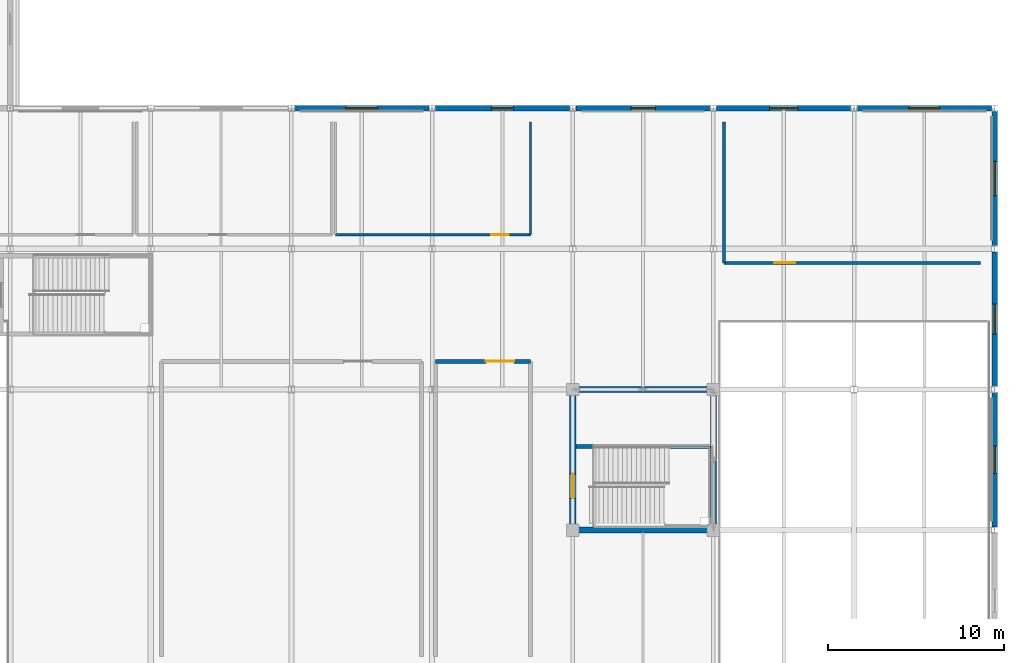
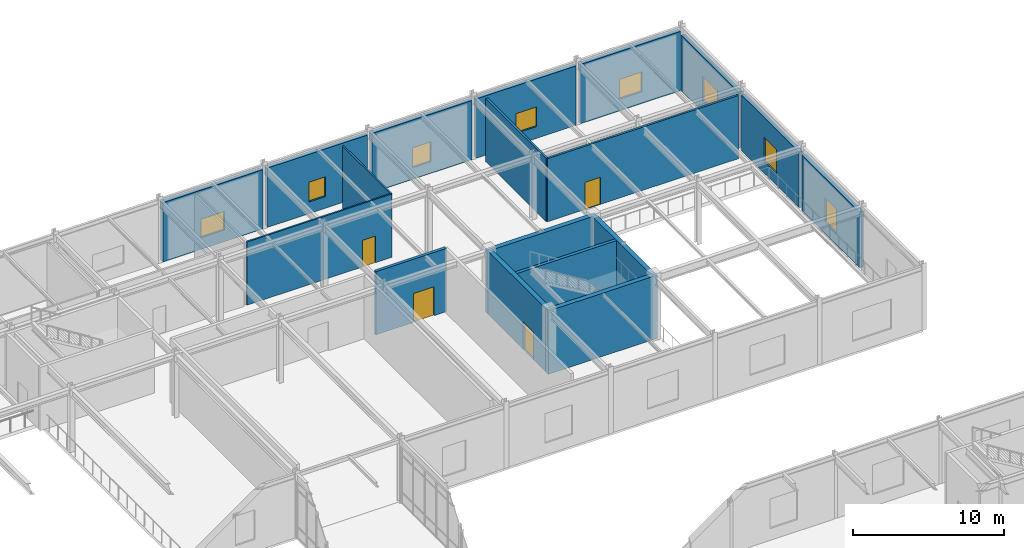
# One storey, part 169 of 184: 18 walls, 8 windows, 4 doors, 12 openings.
"""IFC4 building model written with IfcOpenShell, lengths in metres."""

from ifc_helpers import new_model, si_unit, direction, frame, frame_2d, origin, place, context, subcontext, project, spatial, rectangle, extrude, material, layer, layer_set, type_object, element, fill, save


model = new_model("IFC4")

# Units and contexts
model_context = context("Model", 3, precision=1e-05, world=origin(), true_north=direction((0.0, 1.0)))
body_context = subcontext(model_context, "Body", "Model", "MODEL_VIEW")
ifc_project = project(units=[si_unit("LENGTHUNIT", "METRE"), si_unit("AREAUNIT", "SQUARE_METRE"), si_unit("VOLUMEUNIT", "CUBIC_METRE"), si_unit("PLANEANGLEUNIT", "RADIAN"), si_unit("MASSUNIT", "GRAM", prefix="KILO")], contexts=[model_context])

# Site, building, storey
site_placement = place(None, origin())
site = spatial("IfcSite", under=ifc_project, at=site_placement, CompositionType="ELEMENT")
building_placement = place(site_placement, origin())
building = spatial("IfcBuilding", under=site, at=building_placement, Name="Zhaolan Boulevard Law Courts", CompositionType="ELEMENT")
storey_placement = place(building_placement, frame((0.0, 0.0, 5.39990234375)))
storey = spatial("IfcBuildingStorey", under=building, at=storey_placement, Name="L01", CompositionType="ELEMENT", Elevation=5.39990234375)

# Walls
ifc_material_1 = material(Name="Concrete C50", Category="concrete")
ifc_layer_1 = layer(ifc_material_1, 0.35009765625)
ifc_layer_set_1 = layer_set([ifc_layer_1])
wall_type_1 = type_object("IfcWallType", Name="CORE SHEAR WALL 350", PredefinedType="SHEAR", material=ifc_layer_set_1)
for number, where, z_axis, x_axis, name in (
    (1, (139.824951171875, 70.0, 0.0), (0.0, 0.0, 1.0), (1.0, 0.0, 0.0), "Core Shear Wall CW-T2-L01S"),
    (2, (148.175048828125, 78.0, 0.0), (0.0, 0.0, 1.0), (-1.0, 0.0, 0.0), "Core Shear Wall CW-T2-L01N"),
):
    element("IfcWall", number, at=place(storey_placement, frame(where, z_axis=z_axis, x_axis=x_axis)), inside=storey, type_object=wall_type_1, Name=name, PredefinedType="SHEAR", context=body_context, shape_type="SweptSolid", body=[
        extrude(rectangle(XDim=8.35009765625, YDim=0.35009765625, at=frame_2d((4.175048828125, 0.0))), origin(), (0.0, 0.0, 1.0), 5.1201171875),
    ])

# Wall, opening, door
wall_1_placement = place(storey_placement, frame((140.0, 70.175048828125, 0.0), z_axis=(0.0, 0.0, 1.0), x_axis=(0.0, 1.0, 0.0)))
wall_1 = element("IfcWall", 3, at=wall_1_placement, inside=storey, type_object=wall_type_1, Name="Core Shear Wall CW-T2-L01W", PredefinedType="SHEAR", context=body_context, shape_type="SweptSolid", body=[
    extrude(rectangle(XDim=7.64990234375, YDim=0.35009765625, at=frame_2d((3.824951171875, 0.0))), origin(), (0.0, 0.0, 1.0), 5.1201171875),
])
opening_1_placement = place(wall_1_placement, frame((1.625, 0.0, 0.0)))
opening_1 = element("IfcOpeningElement", 4, at=opening_1_placement, cuts=wall_1, Name="Opening SD-L01-35", PredefinedType="OPENING", context=body_context, shape_type="SweptSolid", body=[
    extrude(rectangle(XDim=1.39990234375, YDim=2.199951171875, at=frame_2d((0.699951171875, 1.10009765625))), frame((0.0, 0.18505859375, 0.0), z_axis=(0.0, -1.0, 0.0), x_axis=(1.0, 0.0, 0.0)), (0.0, 0.0, 1.0), 0.3701171875),
])
ifc_material_2 = material(Name="Fire-rated steel acoustic door", Category="steel")
door_type_1 = type_object("IfcDoorType", Name="STAIR FIRE 1400X2200 L", OperationType="SINGLE_SWING_LEFT", PredefinedType="DOOR", material=ifc_material_2)
door_1_placement = place(opening_1_placement, origin())
door_1 = element("IfcDoor", 5, at=door_1_placement, inside=storey, type_object=door_type_1, Name="Smoke-Proof Stairwell Fire Door SD-L01-35", OperationType="SINGLE_SWING_LEFT", OverallHeight=2.199951171875, OverallWidth=1.39990234375, PredefinedType="DOOR", context=body_context, shape_type="SweptSolid", body=[
    extrude(rectangle(XDim=1.39990234375, YDim=2.199951171875, at=frame_2d((0.699951171875, 1.10009765625))), frame((0.0, 0.02490234375, 0.0), z_axis=(0.0, -1.0, 0.0), x_axis=(1.0, 0.0, 0.0)), (0.0, 0.0, 1.0), 0.050048828125),
])
fill(opening_1, door_1)

# Wall
wall_2_placement = place(storey_placement, frame((148.0, 70.175048828125, 0.0), z_axis=(0.0, 0.0, 1.0), x_axis=(0.0, 1.0, 0.0)))
element("IfcWall", 6, at=wall_2_placement, inside=storey, type_object=wall_type_1, Name="Core Shear Wall CW-T2-L01E", PredefinedType="SHEAR", context=body_context, shape_type="SweptSolid", body=[
    extrude(rectangle(XDim=7.64990234375, YDim=0.35009765625, at=frame_2d((3.824951171875, 0.0))), origin(), (0.0, 0.0, 1.0), 5.1201171875),
])

# Wall, opening, window
ifc_material_3 = material(Name="Concrete C40", Category="concrete")
ifc_layer_2 = layer(ifc_material_3, 0.300048828125)
ifc_layer_set_2 = layer_set([ifc_layer_2])
wall_type_2 = type_object("IfcWallType", Name="EXT WALL CONCRETE300", PredefinedType="SOLIDWALL", material=ifc_layer_set_2)
wall_3_placement = place(storey_placement, frame((131.8291015625, 94.0, 0.0), z_axis=(0.0, 0.0, 1.0), x_axis=(-1.0, 0.0, 0.0)))
wall_3 = element("IfcWall", 7, at=wall_3_placement, inside=storey, type_object=wall_type_2, Name="Exterior Wall EW-L01-224", PredefinedType="SOLIDWALL", context=body_context, shape_type="SweptSolid", body=[
    extrude(rectangle(XDim=7.658203125, YDim=0.300048828125, at=frame_2d((3.8291015625, 0.0))), origin(), (0.0, 0.0, 1.0), 4.802978515625),
])
opening_2_placement = place(wall_3_placement, frame((2.928955078125, 0.0, 0.949951171875)))
opening_2 = element("IfcOpeningElement", 8, at=opening_2_placement, cuts=wall_3, Name="Opening WIN-L01-081", PredefinedType="OPENING", context=body_context, shape_type="SweptSolid", body=[
    extrude(rectangle(XDim=1.800048828125, YDim=1.5, at=frame_2d((0.89990234375, 0.75))), frame((0.0, 0.159912109375, 0.0), z_axis=(0.0, -1.0, 0.0), x_axis=(1.0, 0.0, 0.0)), (0.0, 0.0, 1.0), 0.320068359375),
])
ifc_material_4 = material(Name="Thermally broken aluminium and low-E glazing", Category="aluminium")
window_type_1 = type_object("IfcWindowType", Name="WINDOW 1800X1500", PartitioningType="DOUBLE_PANEL_VERTICAL", PredefinedType="WINDOW", material=ifc_material_4)
window_1_placement = place(opening_2_placement, origin())
window_1 = element("IfcWindow", 9, at=window_1_placement, inside=storey, type_object=window_type_1, Name="Exterior Window WIN-L01-081", OverallHeight=1.5, OverallWidth=1.800048828125, PartitioningType="SINGLE_PANEL", PredefinedType="WINDOW", context=body_context, shape_type="SweptSolid", body=[
    extrude(rectangle(XDim=1.800048828125, YDim=1.5, at=frame_2d((0.89990234375, 0.75))), frame((0.0, 0.030029296875, 0.0), z_axis=(0.0, -1.0, 0.0), x_axis=(1.0, 0.0, 0.0)), (0.0, 0.0, 1.0), 0.06005859375),
])
fill(opening_2, window_1)

wall_4_placement = place(storey_placement, frame((139.8291015625, 94.0, 0.0), z_axis=(0.0, 0.0, 1.0), x_axis=(-1.0, 0.0, 0.0)))
wall_4 = element("IfcWall", 10, at=wall_4_placement, inside=storey, type_object=wall_type_2, Name="Exterior Wall EW-L01-225", PredefinedType="SOLIDWALL", context=body_context, shape_type="SweptSolid", body=[
    extrude(rectangle(XDim=7.658203125, YDim=0.300048828125, at=frame_2d((3.8291015625, 0.0))), origin(), (0.0, 0.0, 1.0), 4.802978515625),
])
opening_3_placement = place(wall_4_placement, frame((3.2041015625, 0.0, 0.949951171875)))
opening_3 = element("IfcOpeningElement", 11, at=opening_3_placement, cuts=wall_4, Name="Opening WIN-L01-082", PredefinedType="OPENING", context=body_context, shape_type="SweptSolid", body=[
    extrude(rectangle(XDim=1.25, YDim=1.60009765625, at=frame_2d((0.625, 0.800048828125))), frame((0.0, 0.159912109375, 0.0), z_axis=(0.0, -1.0, 0.0), x_axis=(1.0, 0.0, 0.0)), (0.0, 0.0, 1.0), 0.320068359375),
])
ifc_material_5 = material(Name="Thermally broken aluminium and low-E glazing", Category="aluminium")
window_type_2 = type_object("IfcWindowType", Name="WINDOW 1250X1600", PartitioningType="SINGLE_PANEL", PredefinedType="WINDOW", material=ifc_material_5)
window_2_placement = place(opening_3_placement, origin())
window_2 = element("IfcWindow", 12, at=window_2_placement, inside=storey, type_object=window_type_2, Name="Exterior Window WIN-L01-082", OverallHeight=1.60009765625, OverallWidth=1.25, PartitioningType="SINGLE_PANEL", PredefinedType="WINDOW", context=body_context, shape_type="SweptSolid", body=[
    extrude(rectangle(XDim=1.25, YDim=1.60009765625, at=frame_2d((0.625, 0.800048828125))), frame((0.0, 0.030029296875, 0.0), z_axis=(0.0, -1.0, 0.0), x_axis=(1.0, 0.0, 0.0)), (0.0, 0.0, 1.0), 0.06005859375),
])
fill(opening_3, window_2)

wall_5_placement = place(storey_placement, frame((147.8291015625, 94.0, 0.0), z_axis=(0.0, 0.0, 1.0), x_axis=(-1.0, 0.0, 0.0)))
wall_5 = element("IfcWall", 13, at=wall_5_placement, inside=storey, type_object=wall_type_2, Name="Exterior Wall EW-L01-226", PredefinedType="SOLIDWALL", context=body_context, shape_type="SweptSolid", body=[
    extrude(rectangle(XDim=7.658203125, YDim=0.300048828125, at=frame_2d((3.8291015625, 0.0))), origin(), (0.0, 0.0, 1.0), 4.802978515625),
])
opening_4_placement = place(wall_5_placement, frame((3.12890625, 0.0, 0.949951171875)))
opening_4 = element("IfcOpeningElement", 14, at=opening_4_placement, cuts=wall_5, Name="Opening WIN-L01-083", PredefinedType="OPENING", context=body_context, shape_type="SweptSolid", body=[
    extrude(rectangle(XDim=1.39990234375, YDim=1.60009765625, at=frame_2d((0.699951171875, 0.800048828125))), frame((0.0, 0.159912109375, 0.0), z_axis=(0.0, -1.0, 0.0), x_axis=(1.0, 0.0, 0.0)), (0.0, 0.0, 1.0), 0.320068359375),
])
ifc_material_6 = material(Name="Thermally broken aluminium and low-E glazing", Category="aluminium")
window_type_3 = type_object("IfcWindowType", Name="WINDOW 1400X1600", PartitioningType="SINGLE_PANEL", PredefinedType="WINDOW", material=ifc_material_6)
window_3_placement = place(opening_4_placement, origin())
window_3 = element("IfcWindow", 15, at=window_3_placement, inside=storey, type_object=window_type_3, Name="Exterior Window WIN-L01-083", OverallHeight=1.60009765625, OverallWidth=1.39990234375, PartitioningType="SINGLE_PANEL", PredefinedType="WINDOW", context=body_context, shape_type="SweptSolid", body=[
    extrude(rectangle(XDim=1.39990234375, YDim=1.60009765625, at=frame_2d((0.699951171875, 0.800048828125))), frame((0.0, 0.030029296875, 0.0), z_axis=(0.0, -1.0, 0.0), x_axis=(1.0, 0.0, 0.0)), (0.0, 0.0, 1.0), 0.06005859375),
])
fill(opening_4, window_3)

wall_6_placement = place(storey_placement, frame((155.8291015625, 94.0, 0.0), z_axis=(0.0, 0.0, 1.0), x_axis=(-1.0, 0.0, 0.0)))
wall_6 = element("IfcWall", 16, at=wall_6_placement, inside=storey, type_object=wall_type_2, Name="Exterior Wall EW-L01-227", PredefinedType="SOLIDWALL", context=body_context, shape_type="SweptSolid", body=[
    extrude(rectangle(XDim=7.658203125, YDim=0.300048828125, at=frame_2d((3.8291015625, 0.0))), origin(), (0.0, 0.0, 1.0), 4.802978515625),
])
opening_5_placement = place(wall_6_placement, frame((3.029052734375, 0.0, 0.949951171875)))
opening_5 = element("IfcOpeningElement", 17, at=opening_5_placement, cuts=wall_6, Name="Opening WIN-L01-084", PredefinedType="OPENING", context=body_context, shape_type="SweptSolid", body=[
    extrude(rectangle(XDim=1.60009765625, YDim=1.60009765625, at=frame_2d((0.800048828125, 0.800048828125))), frame((0.0, 0.159912109375, 0.0), z_axis=(0.0, -1.0, 0.0), x_axis=(1.0, 0.0, 0.0)), (0.0, 0.0, 1.0), 0.320068359375),
])
ifc_material_7 = material(Name="Thermally broken aluminium and low-E glazing", Category="aluminium")
window_type_4 = type_object("IfcWindowType", Name="WINDOW 1600X1600", PartitioningType="SINGLE_PANEL", PredefinedType="WINDOW", material=ifc_material_7)
window_4_placement = place(opening_5_placement, origin())
window_4 = element("IfcWindow", 18, at=window_4_placement, inside=storey, type_object=window_type_4, Name="Exterior Window WIN-L01-084", OverallHeight=1.60009765625, OverallWidth=1.60009765625, PartitioningType="SINGLE_PANEL", PredefinedType="WINDOW", context=body_context, shape_type="SweptSolid", body=[
    extrude(rectangle(XDim=1.60009765625, YDim=1.60009765625, at=frame_2d((0.800048828125, 0.800048828125))), frame((0.0, 0.030029296875, 0.0), z_axis=(0.0, -1.0, 0.0), x_axis=(1.0, 0.0, 0.0)), (0.0, 0.0, 1.0), 0.06005859375),
])
fill(opening_5, window_4)

wall_7_placement = place(storey_placement, frame((163.8291015625, 94.0, 0.0), z_axis=(0.0, 0.0, 1.0), x_axis=(-1.0, 0.0, 0.0)))
wall_7 = element("IfcWall", 19, at=wall_7_placement, inside=storey, type_object=wall_type_2, Name="Exterior Wall EW-L01-228", PredefinedType="SOLIDWALL", context=body_context, shape_type="SweptSolid", body=[
    extrude(rectangle(XDim=7.658203125, YDim=0.300048828125, at=frame_2d((3.8291015625, 0.0))), origin(), (0.0, 0.0, 1.0), 4.802978515625),
])
opening_6_placement = place(wall_7_placement, frame((2.9541015625, 0.0, 0.949951171875)))
opening_6 = element("IfcOpeningElement", 20, at=opening_6_placement, cuts=wall_7, Name="Opening WIN-L01-085", PredefinedType="OPENING", context=body_context, shape_type="SweptSolid", body=[
    extrude(rectangle(XDim=1.75, YDim=1.60009765625, at=frame_2d((0.875, 0.800048828125))), frame((0.0, 0.159912109375, 0.0), z_axis=(0.0, -1.0, 0.0), x_axis=(1.0, 0.0, 0.0)), (0.0, 0.0, 1.0), 0.320068359375),
])
ifc_material_8 = material(Name="Thermally broken aluminium and low-E glazing", Category="aluminium")
window_type_5 = type_object("IfcWindowType", Name="WINDOW 1750X1600", PartitioningType="SINGLE_PANEL", PredefinedType="WINDOW", material=ifc_material_8)
window_5_placement = place(opening_6_placement, origin())
window_5 = element("IfcWindow", 21, at=window_5_placement, inside=storey, type_object=window_type_5, Name="Exterior Window WIN-L01-085", OverallHeight=1.60009765625, OverallWidth=1.75, PartitioningType="SINGLE_PANEL", PredefinedType="WINDOW", context=body_context, shape_type="SweptSolid", body=[
    extrude(rectangle(XDim=1.75, YDim=1.60009765625, at=frame_2d((0.875, 0.800048828125))), frame((0.0, 0.030029296875, 0.0), z_axis=(0.0, -1.0, 0.0), x_axis=(1.0, 0.0, 0.0)), (0.0, 0.0, 1.0), 0.06005859375),
])
fill(opening_6, window_5)

wall_8_placement = place(storey_placement, frame((164.0, 70.1708984375, 0.0), z_axis=(0.0, 0.0, 1.0), x_axis=(0.0, 1.0, 0.0)))
wall_8 = element("IfcWall", 22, at=wall_8_placement, inside=storey, type_object=wall_type_2, Name="Exterior Wall EW-L01-234", PredefinedType="SOLIDWALL", context=body_context, shape_type="SweptSolid", body=[
    extrude(rectangle(XDim=7.658203125, YDim=0.300048828125, at=frame_2d((3.8291015625, 0.0))), origin(), (0.0, 0.0, 1.0), 4.503173828125),
])
opening_7_placement = place(wall_8_placement, frame((3.053955078125, 0.0, 0.949951171875)))
opening_7 = element("IfcOpeningElement", 23, at=opening_7_placement, cuts=wall_8, Name="Opening WIN-L01-091", PredefinedType="OPENING", context=body_context, shape_type="SweptSolid", body=[
    extrude(rectangle(XDim=1.550048828125, YDim=1.949951171875, at=frame_2d((0.77490234375, 0.97509765625))), frame((0.0, 0.159912109375, 0.0), z_axis=(0.0, -1.0, 0.0), x_axis=(1.0, 0.0, 0.0)), (0.0, 0.0, 1.0), 0.320068359375),
])
ifc_material_9 = material(Name="Thermally broken aluminium and low-E glazing", Category="aluminium")
window_type_6 = type_object("IfcWindowType", Name="WINDOW 1550X1950", PartitioningType="SINGLE_PANEL", PredefinedType="WINDOW", material=ifc_material_9)
window_6_placement = place(opening_7_placement, origin())
window_6 = element("IfcWindow", 24, at=window_6_placement, inside=storey, type_object=window_type_6, Name="Exterior Window WIN-L01-091", OverallHeight=1.949951171875, OverallWidth=1.550048828125, PartitioningType="SINGLE_PANEL", PredefinedType="WINDOW", context=body_context, shape_type="SweptSolid", body=[
    extrude(rectangle(XDim=1.550048828125, YDim=1.949951171875, at=frame_2d((0.77490234375, 0.97509765625))), frame((0.0, 0.030029296875, 0.0), z_axis=(0.0, -1.0, 0.0), x_axis=(1.0, 0.0, 0.0)), (0.0, 0.0, 1.0), 0.06005859375),
])
fill(opening_7, window_6)

wall_9_placement = place(storey_placement, frame((164.0, 78.1708984375, 0.0), z_axis=(0.0, 0.0, 1.0), x_axis=(0.0, 1.0, 0.0)))
wall_9 = element("IfcWall", 25, at=wall_9_placement, inside=storey, type_object=wall_type_2, Name="Exterior Wall EW-L01-235", PredefinedType="SOLIDWALL", context=body_context, shape_type="SweptSolid", body=[
    extrude(rectangle(XDim=7.658203125, YDim=0.300048828125, at=frame_2d((3.8291015625, 0.0))), origin(), (0.0, 0.0, 1.0), 4.503173828125),
])
opening_8_placement = place(wall_9_placement, frame((2.97900390625, 0.0, 0.949951171875)))
opening_8 = element("IfcOpeningElement", 26, at=opening_8_placement, cuts=wall_9, Name="Opening WIN-L01-092", PredefinedType="OPENING", context=body_context, shape_type="SweptSolid", body=[
    extrude(rectangle(XDim=1.699951171875, YDim=1.949951171875, at=frame_2d((0.85009765625, 0.97509765625))), frame((0.0, 0.159912109375, 0.0), z_axis=(0.0, -1.0, 0.0), x_axis=(1.0, 0.0, 0.0)), (0.0, 0.0, 1.0), 0.320068359375),
])
ifc_material_10 = material(Name="Thermally broken aluminium and low-E glazing", Category="aluminium")
window_type_7 = type_object("IfcWindowType", Name="WINDOW 1700X1950", PartitioningType="SINGLE_PANEL", PredefinedType="WINDOW", material=ifc_material_10)
window_7_placement = place(opening_8_placement, origin())
window_7 = element("IfcWindow", 27, at=window_7_placement, inside=storey, type_object=window_type_7, Name="Exterior Window WIN-L01-092", OverallHeight=1.949951171875, OverallWidth=1.699951171875, PartitioningType="SINGLE_PANEL", PredefinedType="WINDOW", context=body_context, shape_type="SweptSolid", body=[
    extrude(rectangle(XDim=1.699951171875, YDim=1.949951171875, at=frame_2d((0.85009765625, 0.97509765625))), frame((0.0, 0.030029296875, 0.0), z_axis=(0.0, -1.0, 0.0), x_axis=(1.0, 0.0, 0.0)), (0.0, 0.0, 1.0), 0.06005859375),
])
fill(opening_8, window_7)

wall_10_placement = place(storey_placement, frame((164.0, 86.1708984375, 0.0), z_axis=(0.0, 0.0, 1.0), x_axis=(0.0, 1.0, 0.0)))
wall_10 = element("IfcWall", 28, at=wall_10_placement, inside=storey, type_object=wall_type_2, Name="Exterior Wall EW-L01-236", PredefinedType="SOLIDWALL", context=body_context, shape_type="SweptSolid", body=[
    extrude(rectangle(XDim=7.658203125, YDim=0.300048828125, at=frame_2d((3.8291015625, 0.0))), origin(), (0.0, 0.0, 1.0), 4.503173828125),
])
opening_9_placement = place(wall_10_placement, frame((2.85400390625, 0.0, 0.949951171875)))
opening_9 = element("IfcOpeningElement", 29, at=opening_9_placement, cuts=wall_10, Name="Opening WIN-L01-093", PredefinedType="OPENING", context=body_context, shape_type="SweptSolid", body=[
    extrude(rectangle(XDim=1.949951171875, YDim=1.949951171875, at=frame_2d((0.97509765625, 0.97509765625))), frame((0.0, 0.159912109375, 0.0), z_axis=(0.0, -1.0, 0.0), x_axis=(1.0, 0.0, 0.0)), (0.0, 0.0, 1.0), 0.320068359375),
])
ifc_material_11 = material(Name="Thermally broken aluminium and low-E glazing", Category="aluminium")
window_type_8 = type_object("IfcWindowType", Name="WINDOW 1950X1950", PartitioningType="DOUBLE_PANEL_VERTICAL", PredefinedType="WINDOW", material=ifc_material_11)
window_8_placement = place(opening_9_placement, origin())
window_8 = element("IfcWindow", 30, at=window_8_placement, inside=storey, type_object=window_type_8, Name="Exterior Window WIN-L01-093", OverallHeight=1.949951171875, OverallWidth=1.949951171875, PartitioningType="SINGLE_PANEL", PredefinedType="WINDOW", context=body_context, shape_type="SweptSolid", body=[
    extrude(rectangle(XDim=1.949951171875, YDim=1.949951171875, at=frame_2d((0.97509765625, 0.97509765625))), frame((0.0, 0.030029296875, 0.0), z_axis=(0.0, -1.0, 0.0), x_axis=(1.0, 0.0, 0.0)), (0.0, 0.0, 1.0), 0.06005859375),
])
fill(opening_9, window_8)

# Wall, opening, door
ifc_material_12 = material(Name="Fire-rated gypsum stud partition")
ifc_layer_3 = layer(ifc_material_12, 0.159912109375)
ifc_layer_set_3 = layer_set([ifc_layer_3])
wall_type_3 = type_object("IfcWallType", Name="PART WALL CHAMB160", PredefinedType="PARTITIONING", material=ifc_layer_set_3)
wall_11_placement = place(storey_placement, frame((148.60009765625, 85.199951171875, 0.0), z_axis=(0.0, 0.0, 1.0), x_axis=(1.0, 0.0, 0.0)))
wall_11 = element("IfcWall", 31, at=wall_11_placement, inside=storey, type_object=wall_type_3, Name="Interior Partition PW-L01-767", PredefinedType="PARTITIONING", context=body_context, shape_type="SweptSolid", body=[
    extrude(rectangle(XDim=14.599853515625, YDim=0.159912109375, at=frame_2d((7.2998046875, 0.0))), origin(), (0.0, 0.0, 1.0), 5.1201171875),
])
opening_10_placement = place(wall_11_placement, frame((2.864013671875, 0.0, 0.0)))
opening_10 = element("IfcOpeningElement", 32, at=opening_10_placement, cuts=wall_11, Name="Opening MD-L01-240", PredefinedType="OPENING", context=body_context, shape_type="SweptSolid", body=[
    extrude(rectangle(XDim=1.179931640625, YDim=2.199951171875, at=frame_2d((0.58984375, 1.10009765625))), frame((0.0, 0.08984375, 0.0), z_axis=(0.0, -1.0, 0.0), x_axis=(1.0, 0.0, 0.0)), (0.0, 0.0, 1.0), 0.179931640625),
])
ifc_material_13 = material(Name="Solid-core acoustic oak veneer door")
door_type_2 = type_object("IfcDoorType", Name="MED DOOR 1180X2200 R", OperationType="SINGLE_SWING_RIGHT", PredefinedType="DOOR", material=ifc_material_13)
door_2_placement = place(opening_10_placement, origin())
door_2 = element("IfcDoor", 33, at=door_2_placement, inside=storey, type_object=door_type_2, Name="Door MD-L01-240 (Witness Waiting Suite L01)", OperationType="SINGLE_SWING_RIGHT", OverallHeight=2.199951171875, OverallWidth=1.179931640625, PredefinedType="DOOR", context=body_context, shape_type="SweptSolid", body=[
    extrude(rectangle(XDim=1.179931640625, YDim=2.199951171875, at=frame_2d((0.58984375, 1.10009765625))), frame((0.0, 0.02490234375, 0.0), z_axis=(0.0, -1.0, 0.0), x_axis=(1.0, 0.0, 0.0)), (0.0, 0.0, 1.0), 0.050048828125),
])
fill(opening_10, door_2)

# Wall
wall_12_placement = place(storey_placement, frame((148.60009765625, 93.199951171875, 0.0), z_axis=(0.0, 0.0, 1.0), x_axis=(0.0, -1.0, 0.0)))
element("IfcWall", 34, at=wall_12_placement, inside=storey, type_object=wall_type_3, Name="Interior Partition PW-L01-768", PredefinedType="PARTITIONING", context=body_context, shape_type="SweptSolid", body=[
    extrude(rectangle(XDim=8.0, YDim=0.159912109375, at=frame_2d((4.0, 0.0))), origin(), (0.0, 0.0, 1.0), 5.1201171875),
])

# Wall, opening, door
ifc_material_14 = material(Name="Concrete C40", Category="concrete")
ifc_layer_4 = layer(ifc_material_14, 0.219970703125)
ifc_layer_set_4 = layer_set([ifc_layer_4])
wall_type_4 = type_object("IfcWallType", Name="PART WALL COURT220", PredefinedType="PARTITIONING", material=ifc_layer_set_4)
wall_13_placement = place(storey_placement, frame((137.60009765625, 79.60009765625, 0.0), z_axis=(0.0, 0.0, 1.0), x_axis=(-1.0, 0.0, 0.0)))
wall_13 = element("IfcWall", 35, at=wall_13_placement, inside=storey, type_object=wall_type_4, Name="Interior Partition PW-L01-769", PredefinedType="PARTITIONING", context=body_context, shape_type="SweptSolid", body=[
    extrude(rectangle(XDim=5.400146484375, YDim=0.219970703125, at=frame_2d((2.7001953125, 0.0))), origin(), (0.0, 0.0, 1.0), 5.1201171875),
])
opening_11_placement = place(wall_13_placement, frame((0.93994140625, 0.0, 0.0)))
opening_11 = element("IfcOpeningElement", 36, at=opening_11_placement, cuts=wall_13, Name="Opening ID-L01-241", PredefinedType="OPENING", context=body_context, shape_type="SweptSolid", body=[
    extrude(rectangle(XDim=1.60009765625, YDim=2.35009765625, at=frame_2d((0.800048828125, 1.175048828125))), frame((0.0, 0.119873046875, 0.0), z_axis=(0.0, -1.0, 0.0), x_axis=(1.0, 0.0, 0.0)), (0.0, 0.0, 1.0), 0.239990234375),
])
ifc_material_15 = material(Name="Solid-core acoustic oak veneer door")
door_type_3 = type_object("IfcDoorType", Name="COURT DOUBLE 1600X2350", OperationType="DOUBLE_DOOR_SINGLE_SWING", PredefinedType="DOOR", material=ifc_material_15)
door_3_placement = place(opening_11_placement, origin())
door_3 = element("IfcDoor", 37, at=door_3_placement, inside=storey, type_object=door_type_3, Name="Door ID-L01-241 (Administrative Hearing Courtroom L01)", OperationType="DOUBLE_DOOR_SINGLE_SWING", OverallHeight=2.35009765625, OverallWidth=1.60009765625, PredefinedType="DOOR", context=body_context, shape_type="SweptSolid", body=[
    extrude(rectangle(XDim=1.60009765625, YDim=2.35009765625, at=frame_2d((0.800048828125, 1.175048828125))), frame((0.0, 0.02490234375, 0.0), z_axis=(0.0, -1.0, 0.0), x_axis=(1.0, 0.0, 0.0)), (0.0, 0.0, 1.0), 0.050048828125),
])
fill(opening_11, door_3)

ifc_material_16 = material(Name="Gypsum board stud partition")
ifc_layer_5 = layer(ifc_material_16, 0.1201171875)
ifc_layer_set_5 = layer_set([ifc_layer_5])
wall_type_5 = type_object("IfcWallType", Name="PART WALL LIGHT120", PredefinedType="PARTITIONING", material=ifc_layer_set_5)
wall_14_placement = place(storey_placement, frame((126.514892578125, 86.800048828125, 0.0), z_axis=(0.0, 0.0, 1.0), x_axis=(1.0, 0.0, 0.0)))
wall_14 = element("IfcWall", 38, at=wall_14_placement, inside=storey, type_object=wall_type_5, Name="Interior Partition PW-L01-390", PredefinedType="PARTITIONING", context=body_context, shape_type="SweptSolid", body=[
    extrude(rectangle(XDim=11.085205078125, YDim=0.1201171875, at=frame_2d((5.54248046875, 0.0))), origin(), (0.0, 0.0, 1.0), 5.1201171875),
])
opening_12_placement = place(wall_14_placement, frame((8.8359375, 0.0, 0.0)))
opening_12 = element("IfcOpeningElement", 39, at=opening_12_placement, cuts=wall_14, Name="Opening JD-L01-122", PredefinedType="OPENING", context=body_context, shape_type="SweptSolid", body=[
    extrude(rectangle(XDim=1.0, YDim=2.14990234375, at=frame_2d((0.5, 1.074951171875))), frame((0.0, 0.070068359375, 0.0), z_axis=(0.0, -1.0, 0.0), x_axis=(1.0, 0.0, 0.0)), (0.0, 0.0, 1.0), 0.14013671875),
])
ifc_material_17 = material(Name="Solid-core acoustic oak veneer door")
door_type_4 = type_object("IfcDoorType", Name="CHAMBER DOOR 1000X2150 L", OperationType="SINGLE_SWING_LEFT", PredefinedType="DOOR", material=ifc_material_17)
door_4_placement = place(opening_12_placement, origin())
door_4 = element("IfcDoor", 40, at=door_4_placement, inside=storey, type_object=door_type_4, Name="Door JD-L01-122 (Judges' Chambers L01-04)", OperationType="SINGLE_SWING_LEFT", OverallHeight=2.14990234375, OverallWidth=1.0, PredefinedType="DOOR", context=body_context, shape_type="SweptSolid", body=[
    extrude(rectangle(XDim=1.0, YDim=2.14990234375, at=frame_2d((0.5, 1.074951171875))), frame((0.0, 0.02490234375, 0.0), z_axis=(0.0, -1.0, 0.0), x_axis=(1.0, 0.0, 0.0)), (0.0, 0.0, 1.0), 0.050048828125),
])
fill(opening_12, door_4)

# Walls
wall_15_placement = place(storey_placement, frame((137.60009765625, 86.800048828125, 0.0), z_axis=(0.0, 0.0, 1.0), x_axis=(0.0, 1.0, 0.0)))
element("IfcWall", 41, at=wall_15_placement, inside=storey, type_object=wall_type_5, Name="Interior Partition PW-L01-392", PredefinedType="PARTITIONING", context=body_context, shape_type="SweptSolid", body=[
    extrude(rectangle(XDim=6.39990234375, YDim=0.1201171875, at=frame_2d((3.199951171875, 0.0))), origin(), (0.0, 0.0, 1.0), 5.1201171875),
])
ifc_material_18 = material(Name="Concrete C50", Category="concrete")
ifc_layer_6 = layer(ifc_material_18, 0.239990234375)
ifc_layer_set_6 = layer_set([ifc_layer_6])
wall_type_6 = type_object("IfcWallType", Name="STAIR WELL WALL 240", PredefinedType="SHEAR", material=ifc_layer_set_6)
wall_16_placement = place(storey_placement, frame((140.175048828125, 74.75, 0.0), z_axis=(0.0, 0.0, 1.0), x_axis=(1.0, 0.0, 0.0)))
element("IfcWall", 42, at=wall_16_placement, inside=storey, type_object=wall_type_6, Name="Stairwell Divider Shear Wall ST09-L01N", PredefinedType="SHEAR", context=body_context, shape_type="SweptSolid", body=[
    extrude(rectangle(XDim=7.64990234375, YDim=0.239990234375, at=frame_2d((3.824951171875, 0.0))), origin(), (0.0, 0.0, 1.0), 5.1201171875),
])

save(model, "model.ifc")
